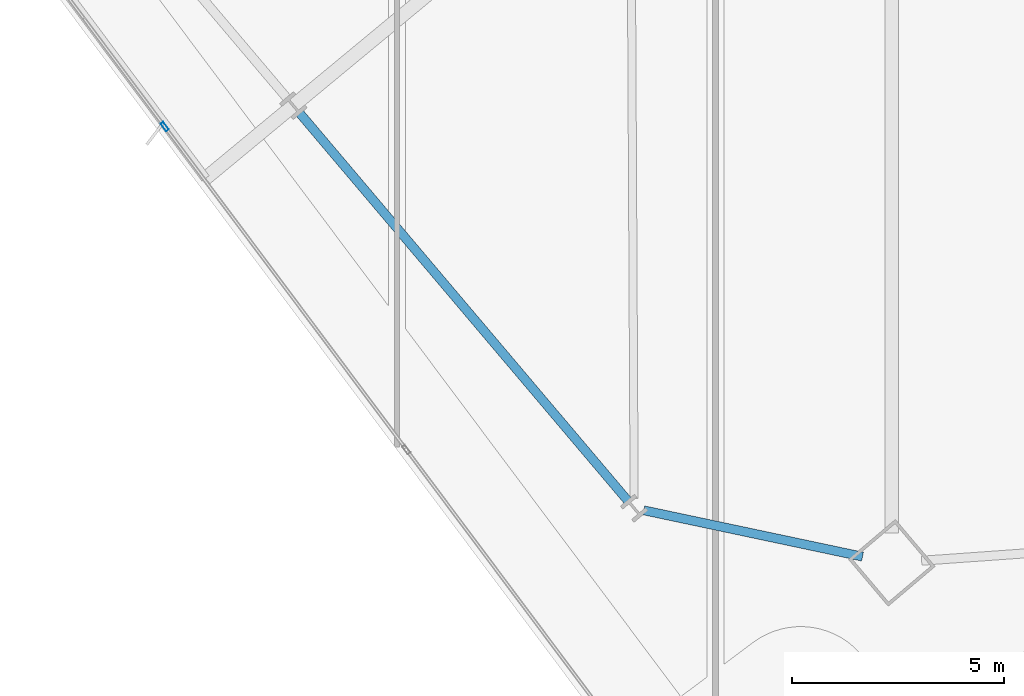
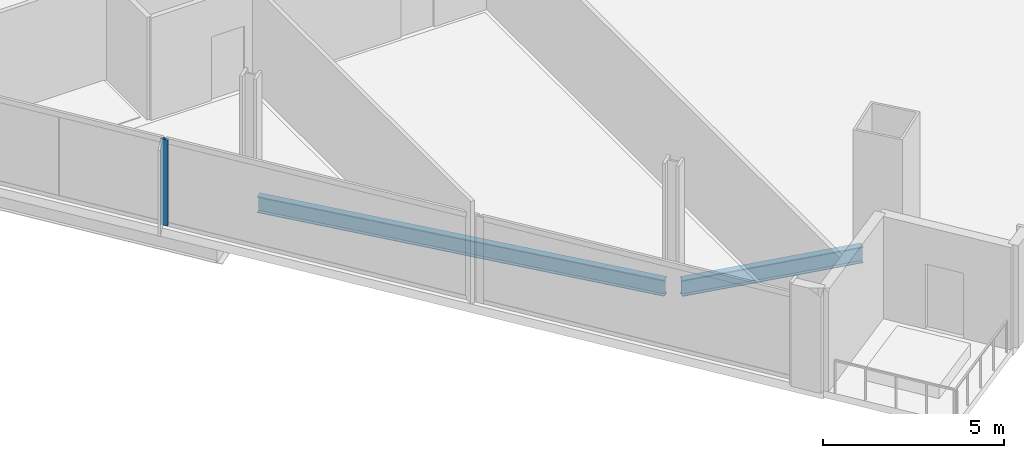
# One storey, part 3 of 32: 2 beams, 1 member, 1 element without a shape of its own.
"""IFC4 building model written with IfcOpenShell, lengths in metres."""

from ifc_helpers import new_model, si_unit, direction, frame, origin, origin_2d, place, context, subcontext, project, spatial, hollow_rectangle, i_section, extrude, material, material_profile, profile_set, type_object, element, aggregate, save


model = new_model("IFC4")

# Units and contexts
model_context = context("Model", 3, precision=1e-05, world=origin(), true_north=direction((0.0, 1.0)))
body_context = subcontext(model_context, "Body", "Model", "MODEL_VIEW")
ifc_project = project(units=[si_unit("LENGTHUNIT", "METRE"), si_unit("AREAUNIT", "SQUARE_METRE"), si_unit("VOLUMEUNIT", "CUBIC_METRE"), si_unit("PLANEANGLEUNIT", "RADIAN"), si_unit("MASSUNIT", "GRAM", prefix="KILO")], contexts=[model_context])

# Site, building, storey
site_placement = place(None, origin())
site = spatial("IfcSite", under=ifc_project, at=site_placement, CompositionType="ELEMENT")
building_placement = place(site_placement, origin())
building = spatial("IfcBuilding", under=site, at=building_placement, Name="Haldenkirk Collegiate Tower", CompositionType="ELEMENT")
storey_placement = place(building_placement, frame((0.0, 0.0, 151.949951171875)))
storey = spatial("IfcBuildingStorey", under=building, at=storey_placement, Name="L37", CompositionType="ELEMENT", Elevation=151.949951171875)

# Beams
ifc_material_1 = material(Name="Steel ASTM A992 Grade 50", Category="steel")
ifc_material_profile_1 = material_profile(ifc_material_1, i_section(OverallWidth=0.2119140625, OverallDepth=0.5439453125, WebThickness=0.01318359375, FlangeThickness=0.021240234375, at=origin_2d()), Name="W21X83")
ifc_profile_set_1 = profile_set([ifc_material_profile_1], Name="Steel ASTM A992 Grade 50")
beam_type = type_object("IfcBeamType", Name="BM-SPANDREL-W21X83", PredefinedType="SPANDREL", material=ifc_profile_set_1)
beam_1_placement = place(storey_placement, frame((19.202880859375, 11.250732421875, -0.56201171875), z_axis=(0.646115074743, -0.763240008248, 0.0), x_axis=(0.763240008248, 0.646115074743, 0.0)))
element("IfcBeam", 1, at=beam_1_placement, inside=storey, type_object=beam_type, Name="L37 perimeter spandrel beam 15", PredefinedType="SPANDREL", context=body_context, shape_type="SweptSolid", body=[
    extrude(i_section(OverallWidth=0.2119140625, OverallDepth=0.5439453125, WebThickness=0.01318359375, FlangeThickness=0.021240234375, at=origin_2d()), origin(), (0.0, 0.0, 1.0), 11.966796875),
])
beam_2_placement = place(storey_placement, frame((27.306884765625, 1.89501953125, -0.56201171875), z_axis=(0.978307627668, -0.207157393416, 0.0), x_axis=(0.207157393416, 0.978307627668, 0.0)))
element("IfcBeam", 2, at=beam_2_placement, inside=storey, type_object=beam_type, Name="L37 perimeter spandrel beam 16", PredefinedType="SPANDREL", context=body_context, shape_type="SweptSolid", body=[
    extrude(i_section(OverallWidth=0.2119140625, OverallDepth=0.5439453125, WebThickness=0.01318359375, FlangeThickness=0.021240234375, at=origin_2d()), origin(), (0.0, 0.0, 1.0), 5.266845703125),
])

# Curtain wall, member
ifc_material_2 = material(Name="Anodised architectural bronze aluminium", Category="aluminium")
curtain_wall_type = type_object("IfcCurtainWallType", Name="CW-SYS1-CONVEX-LOW", PredefinedType="USERDEFINED", material=ifc_material_2)
curtain_wall_placement = place(storey_placement, origin())
curtain_wall = element("IfcCurtainWall", 3, at=curtain_wall_placement, inside=storey, type_object=curtain_wall_type, Name="L37 Lower tower convex bronze-framed unitised curtain wall", ObjectType="UNITISED CURTAIN WALL", PredefinedType="USERDEFINED")
ifc_material_profile_2 = material_profile(ifc_material_2, hollow_rectangle(XDim=0.080078125, YDim=0.219970703125, WallThickness=0.0048828125, at=origin_2d()), Name="CW-MUL-1A")
ifc_profile_set_2 = profile_set([ifc_material_profile_2], Name="Anodised architectural bronze aluminium")
member_type = type_object("IfcMemberType", Name="CW-MUL-1A", PredefinedType="MULLION", material=ifc_profile_set_2)
member_placement = place(storey_placement, frame((16.025634765625, 10.932373046875, 0.0), z_axis=(0.0, 0.0, 1.0), x_axis=(-0.800730460187, -0.599024815954, 0.0)))
member = element("IfcMember", 4, at=member_placement, type_object=member_type, Name="CW-1A mullion 3", PredefinedType="MULLION", context=body_context, shape_type="SweptSolid", body=[
    extrude(hollow_rectangle(XDim=0.080078125, YDim=0.219970703125, WallThickness=0.0048828125, at=origin_2d()), origin(), (0.0, 0.0, 1.0), 2.9111328125),
])
aggregate(curtain_wall, [member])

save(model, "model.ifc")
